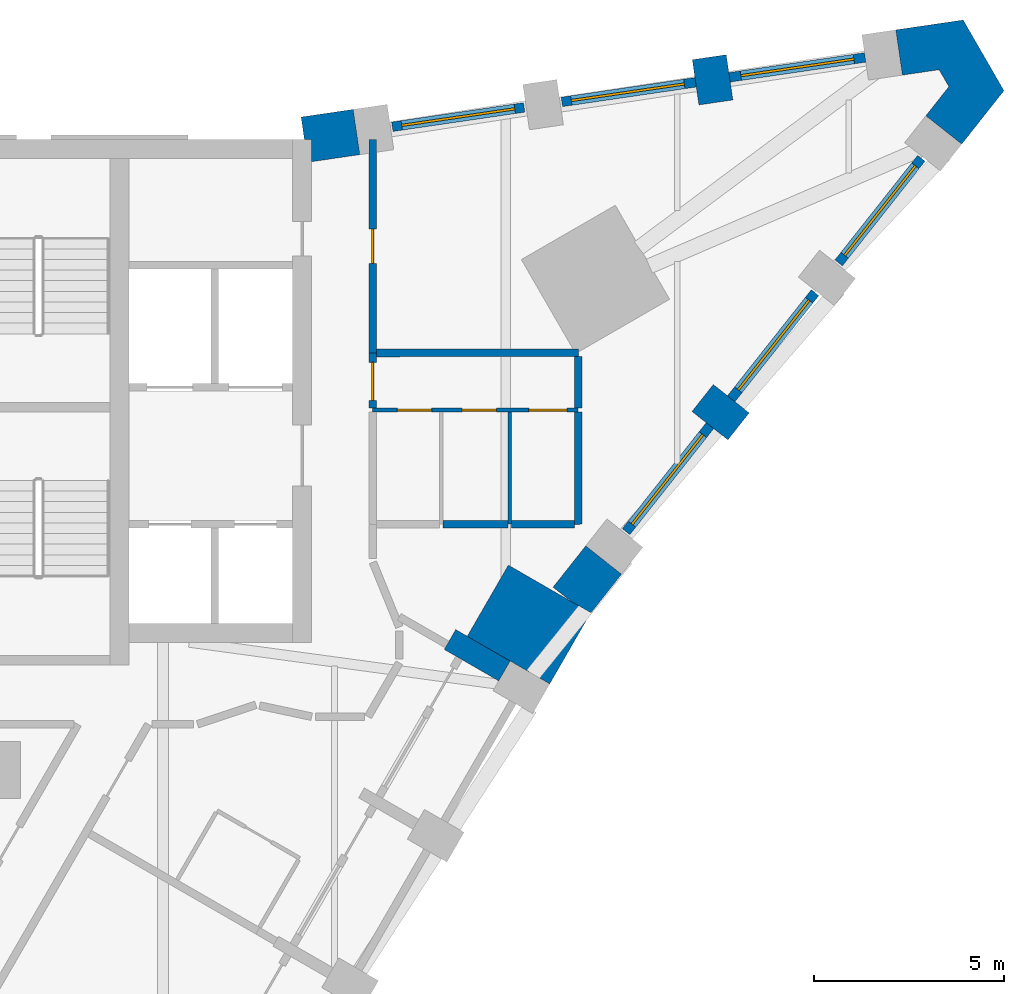
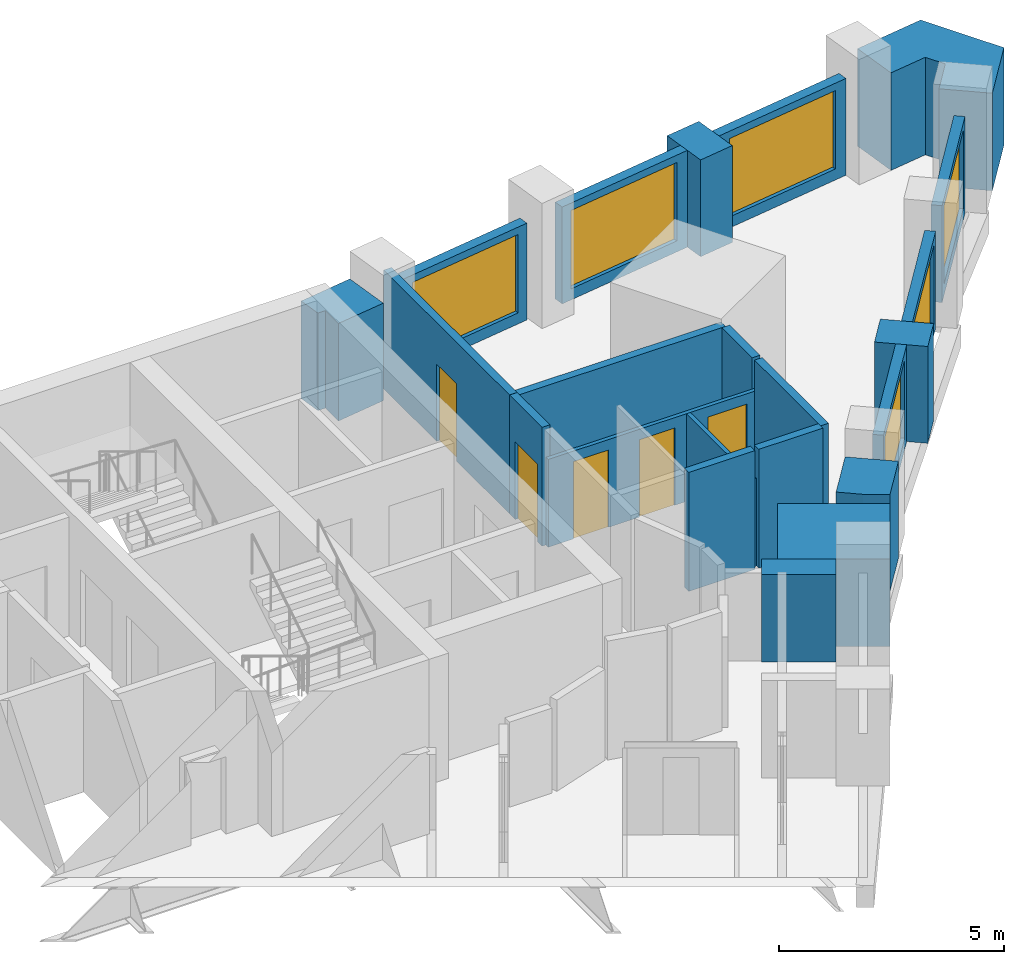
# One storey, part 9 of 11: 22 walls, 6 windows, 5 doors, 11 openings.
"""IFC4 building model written with IfcOpenShell, lengths in metres."""

from ifc_helpers import new_model, si_unit, direction, frame, frame_2d, origin, place, context, subcontext, project, spatial, polyline, rectangle, outline, extrude, material, layer, layer_set, type_object, element, fill, save


model = new_model("IFC4")

# Units and contexts
model_context = context("Model", 3, precision=1e-05, world=origin(), true_north=direction((0.0, 1.0)))
body_context = subcontext(model_context, "Body", "Model", "MODEL_VIEW")
ifc_project = project(units=[si_unit("LENGTHUNIT", "METRE"), si_unit("AREAUNIT", "SQUARE_METRE"), si_unit("VOLUMEUNIT", "CUBIC_METRE"), si_unit("PLANEANGLEUNIT", "RADIAN"), si_unit("MASSUNIT", "GRAM", prefix="KILO")], contexts=[model_context])

# Site, building, storey
site_placement = place(None, origin())
site = spatial("IfcSite", under=ifc_project, at=site_placement, CompositionType="ELEMENT")
building_placement = place(site_placement, origin())
building = spatial("IfcBuilding", under=site, at=building_placement, Name="Calabash Gate Tower", CompositionType="ELEMENT")
storey_placement = place(building_placement, frame((0.0, 0.0, 122.39990234375)))
storey = spatial("IfcBuildingStorey", under=building, at=storey_placement, Name="L28", CompositionType="ELEMENT", Elevation=122.39990234375)

# Walls
ifc_material_1 = material(Name="Terracotta brick masonry, exposed face", Category="masonry")
ifc_layer_1 = layer(ifc_material_1, 2.5)
ifc_layer_set_1 = layer_set([ifc_layer_1], Name="Brick corner mass wall 2500")
wall_type_1 = type_object("IfcWallType", Name="Brick corner mass wall 2500", PredefinedType="SOLIDWALL", material=ifc_layer_set_1)
wall_1_placement = place(storey_placement, origin())
element("IfcWall", 1, at=wall_1_placement, inside=storey, type_object=wall_type_1, Name="Brick corner pier S08 2", PredefinedType="SOLIDWALL", context=body_context, shape_type="SweptSolid", body=[
    extrude(outline(polyline([(22.564697265625, 7.878173828125), (21.486083984375, 6.01025390625), (22.612060546875, 5.360107421875), (22.6123046875, 5.360595703125), (23.651611328125, 4.7607421875), (24.729736328125, 6.628173828125), (22.564697265625, 7.878173828125)])), origin(), (0.0, 0.0, 1.0), 2.38427734375),
])
ifc_material_2 = material(Name="Terracotta brick masonry, exposed face", Category="masonry")
ifc_layer_2 = layer(ifc_material_2, 1.199951171875)
ifc_layer_set_2 = layer_set([ifc_layer_2], Name="Brick end wall 1200")
wall_type_2 = type_object("IfcWallType", Name="Brick end wall 1200", PredefinedType="SOLIDWALL", material=ifc_layer_set_2)
wall_2_placement = place(storey_placement, frame((28.6083984375, 11.5224609375, 0.0), z_axis=(0.0, 0.0, 1.0), x_axis=(-0.784408686564, 0.620244316736, 0.0)))
element("IfcWall", 2, at=wall_2_placement, inside=storey, type_object=wall_type_2, Name="Brick pier S08 wedge3.1", PredefinedType="SOLIDWALL", context=body_context, shape_type="SweptSolid", body=[
    extrude(rectangle(XDim=1.2001953125, YDim=0.89990234375, at=frame_2d((0.60009765625, 0.0))), origin(), (0.0, 0.0, 1.0), 2.630126953125),
])
wall_3_placement = place(storey_placement, frame((27.84033203125, 21.217041015625, 0.0), z_axis=(0.0, 0.0, 1.0), x_axis=(0.145066385332, -0.989421924078, 0.0)))
element("IfcWall", 3, at=wall_3_placement, inside=storey, type_object=wall_type_2, Name="Brick pier S08 wedge5.1", PredefinedType="SOLIDWALL", context=body_context, shape_type="SweptSolid", body=[
    extrude(rectangle(XDim=1.199951171875, YDim=0.89990234375, at=frame_2d((0.60009765625, 0.0))), origin(), (0.0, 0.0, 1.0), 2.630126953125),
])
wall_4_placement = place(storey_placement, origin())
element("IfcWall", 4, at=wall_4_placement, inside=storey, type_object=wall_type_2, Name="Brick end wall S08 1", PredefinedType="SOLIDWALL", context=body_context, shape_type="SweptSolid", body=[
    extrude(outline(polyline([(24.5966796875, 8.38427734375), (23.739501953125, 7.30029296875), (24.2099609375, 6.92822265625), (24.729736328125, 6.628173828125), (24.707763671875, 6.59033203125), (25.537841796875, 7.639892578125), (24.5966796875, 8.38427734375)])), origin(), (0.0, 0.0, 1.0), 2.630126953125),
])
wall_5_placement = place(storey_placement, origin())
element("IfcWall", 5, at=wall_5_placement, inside=storey, type_object=wall_type_2, Name="Brick end wall S08 2", PredefinedType="SOLIDWALL", context=body_context, shape_type="SweptSolid", body=[
    extrude(outline(polyline([(34.13330078125, 20.443359375), (33.52880859375, 19.678955078125), (34.47021484375, 18.9345703125), (35.579833984375, 20.337890625), (34.50830078125, 22.1943359375), (32.73828125, 21.934814453125), (32.912109375, 20.74755859375), (33.876220703125, 20.888916015625), (34.13330078125, 20.443359375)])), origin(), (0.0, 0.0, 1.0), 2.650146484375),
])
wall_6_placement = place(storey_placement, origin())
element("IfcWall", 6, at=wall_6_placement, inside=storey, type_object=wall_type_2, Name="Brick end wall S08 3", PredefinedType="SOLIDWALL", context=body_context, shape_type="SweptSolid", body=[
    extrude(outline(polyline([(17.123046875, 19.646240234375), (17.2099609375, 19.052490234375), (17.39990234375, 19.052490234375), (17.39990234375, 18.473876953125), (18.664306640625, 18.6591796875), (18.490234375, 19.8466796875), (17.123046875, 19.646240234375)])), origin(), (0.0, 0.0, 1.0), 2.650146484375),
])
ifc_material_3 = material(Name="Terracotta brick masonry, exposed face", Category="masonry")
ifc_layer_3 = layer(ifc_material_3, 0.300048828125)
ifc_layer_set_3 = layer_set([ifc_layer_3], Name="Brick loggia cheek wall 300")
wall_type_3 = type_object("IfcWallType", Name="Brick loggia cheek wall 300", PredefinedType="SOLIDWALL", material=ifc_layer_set_3)
wall_7_placement = place(storey_placement, frame((21.032958984375, 5.92529296875, 0.0), z_axis=(0.0, 0.0, 1.0), x_axis=(0.866040211805, -0.499974350878, 0.0)))
element("IfcWall", 7, at=wall_7_placement, inside=storey, type_object=wall_type_3, Name="Loggia cheek S08 SE2.8", PredefinedType="SOLIDWALL", context=body_context, shape_type="SweptSolid", body=[
    extrude(rectangle(XDim=1.64990234375, YDim=0.60009765625, at=frame_2d((0.824951171875, 0.0))), origin(), (0.0, 0.0, 1.0), 2.38427734375),
])
ifc_material_4 = material(Name="Gypsum board on steel studs, mineral wool", Category="steel")
ifc_layer_4 = layer(ifc_material_4, 0.10009765625)
ifc_layer_set_4 = layer_set([ifc_layer_4], Name="Partition 100 gypsum board")
wall_type_4 = type_object("IfcWallType", Name="Partition 100 gypsum board", PredefinedType="PARTITIONING", material=ifc_layer_set_4)
wall_8_placement = place(storey_placement, frame((22.60009765625, 8.952880859375, 0.0), z_axis=(0.0, 0.0, 1.0), x_axis=(0.000662525735, 0.99999978053, 0.0)))
element("IfcWall", 8, at=wall_8_placement, inside=storey, type_object=wall_type_4, Name="Partition", PredefinedType="PARTITIONING", context=body_context, shape_type="SweptSolid", body=[
    extrude(rectangle(XDim=2.947998046875, YDim=0.10009765625, at=frame_2d((1.47412109375, 0.0))), origin(), (0.0, 0.0, 1.0), 2.38427734375),
])

# Wall, openings, doors
wall_9_placement = place(storey_placement, frame((19.000244140625, 11.95068359375, 0.0), z_axis=(0.0, 0.0, 1.0), x_axis=(1.0, 0.0, 0.0)))
wall_9 = element("IfcWall", 9, at=wall_9_placement, inside=storey, type_object=wall_type_4, Name="Partition", PredefinedType="PARTITIONING", context=body_context, shape_type="SweptSolid", body=[
    extrude(rectangle(XDim=5.399658203125, YDim=0.10009765625, at=frame_2d((2.69970703125, 0.0))), origin(), (0.0, 0.0, 1.0), 2.38427734375),
])
opening_1_placement = place(wall_9_placement, frame((0.64990234375, 0.0, 0.0)))
opening_1 = element("IfcOpeningElement", 10, at=opening_1_placement, cuts=wall_9, Name="Opening 28-30-017", PredefinedType="OPENING", context=body_context, shape_type="SweptSolid", body=[
    extrude(rectangle(XDim=0.89990234375, YDim=2.10009765625, at=frame_2d((0.449951171875, 1.050048828125))), frame((0.0, 0.06005859375, 0.0), z_axis=(0.0, -1.0, 0.0), x_axis=(1.0, 0.0, 0.0)), (0.0, 0.0, 1.0), 0.1201171875),
])
opening_2_placement = place(wall_9_placement, frame((2.349853515625, 0.0, 0.0)))
opening_2 = element("IfcOpeningElement", 11, at=opening_2_placement, cuts=wall_9, Name="Opening 28-30-018", PredefinedType="OPENING", context=body_context, shape_type="SweptSolid", body=[
    extrude(rectangle(XDim=0.89990234375, YDim=2.10009765625, at=frame_2d((0.449951171875, 1.050048828125))), frame((0.0, 0.06005859375, 0.0), z_axis=(0.0, -1.0, 0.0), x_axis=(1.0, 0.0, 0.0)), (0.0, 0.0, 1.0), 0.1201171875),
])
opening_3_placement = place(wall_9_placement, frame((4.099853515625, 0.0, 0.0)))
opening_3 = element("IfcOpeningElement", 12, at=opening_3_placement, cuts=wall_9, Name="Opening 28-30-019", PredefinedType="OPENING", context=body_context, shape_type="SweptSolid", body=[
    extrude(rectangle(XDim=1.0, YDim=2.10009765625, at=frame_2d((0.5, 1.050048828125))), frame((0.0, 0.06005859375, 0.0), z_axis=(0.0, -1.0, 0.0), x_axis=(1.0, 0.0, 0.0)), (0.0, 0.0, 1.0), 0.1201171875),
])
ifc_material_5 = material(Name="Painted timber door", Category="wood")
door_type_1 = type_object("IfcDoorType", Name="WD1 WC door 900x2100", OperationType="NOTDEFINED", PredefinedType="DOOR", material=ifc_material_5)
door_1_placement = place(opening_1_placement, origin())
door_1 = element("IfcDoor", 13, at=door_1_placement, inside=storey, type_object=door_type_1, Name="WC door", OperationType="SINGLE_SWING_RIGHT", OverallHeight=2.10009765625, OverallWidth=0.89990234375, PredefinedType="DOOR", context=body_context, shape_type="SweptSolid", body=[
    extrude(rectangle(XDim=0.89990234375, YDim=2.10009765625, at=frame_2d((0.449951171875, 1.050048828125))), frame((0.0, 0.02490234375, 0.0), z_axis=(0.0, -1.0, 0.0), x_axis=(1.0, 0.0, 0.0)), (0.0, 0.0, 1.0), 0.050048828125),
])
fill(opening_1, door_1)
door_2_placement = place(opening_2_placement, origin())
door_2 = element("IfcDoor", 14, at=door_2_placement, inside=storey, type_object=door_type_1, Name="WC door", OperationType="SINGLE_SWING_LEFT", OverallHeight=2.10009765625, OverallWidth=0.89990234375, PredefinedType="DOOR", context=body_context, shape_type="SweptSolid", body=[
    extrude(rectangle(XDim=0.89990234375, YDim=2.10009765625, at=frame_2d((0.449951171875, 1.050048828125))), frame((0.0, 0.02490234375, 0.0), z_axis=(0.0, -1.0, 0.0), x_axis=(1.0, 0.0, 0.0)), (0.0, 0.0, 1.0), 0.050048828125),
])
fill(opening_2, door_2)
ifc_material_6 = material(Name="Painted timber door", Category="wood")
door_type_2 = type_object("IfcDoorType", Name="WD2 Accessible WC door 1000x2100", OperationType="NOTDEFINED", PredefinedType="DOOR", material=ifc_material_6)
door_3_placement = place(opening_3_placement, origin())
door_3 = element("IfcDoor", 15, at=door_3_placement, inside=storey, type_object=door_type_2, Name="Accessible WC door", OperationType="SINGLE_SWING_LEFT", OverallHeight=2.10009765625, OverallWidth=1.0, PredefinedType="DOOR", context=body_context, shape_type="SweptSolid", body=[
    extrude(rectangle(XDim=1.0, YDim=2.10009765625, at=frame_2d((0.5, 1.050048828125))), frame((0.0, 0.02490234375, 0.0), z_axis=(0.0, -1.0, 0.0), x_axis=(1.0, 0.0, 0.0)), (0.0, 0.0, 1.0), 0.050048828125),
])
fill(opening_3, door_3)

# Walls
ifc_material_7 = material(Name="Gypsum board on steel studs, mineral wool", Category="steel")
ifc_layer_5 = layer(ifc_material_7, 0.199951171875)
ifc_layer_set_5 = layer_set([ifc_layer_5], Name="Partition 200 gypsum board EI 60")
wall_type_5 = type_object("IfcWallType", Name="Partition 200 gypsum board EI 60", PredefinedType="PARTITIONING", material=ifc_layer_set_5)
wall_10_placement = place(storey_placement, frame((20.85009765625, 8.952880859375, 0.0), z_axis=(0.0, 0.0, 1.0), x_axis=(0.999999628739, 0.000861697224, 0.0)))
element("IfcWall", 16, at=wall_10_placement, inside=storey, type_object=wall_type_5, Name="Partition", PredefinedType="PARTITIONING", context=body_context, shape_type="SweptSolid", body=[
    extrude(rectangle(XDim=1.699951171875, YDim=0.199951171875, at=frame_2d((0.85009765625, 0.0))), origin(), (0.0, 0.0, 1.0), 3.22998046875),
])
wall_11_placement = place(storey_placement, frame((22.650146484375, 8.952880859375, 0.0), z_axis=(0.0, 0.0, 1.0), x_axis=(1.0, 0.0, 0.0)))
element("IfcWall", 17, at=wall_11_placement, inside=storey, type_object=wall_type_5, Name="Partition", PredefinedType="PARTITIONING", context=body_context, shape_type="SweptSolid", body=[
    extrude(rectangle(XDim=1.64990234375, YDim=0.199951171875, at=frame_2d((0.824951171875, 0.0))), origin(), (0.0, 0.0, 1.0), 3.22998046875),
])
wall_12_placement = place(storey_placement, frame((24.398193359375, 11.902587890625, 0.0), z_axis=(0.0, 0.0, 1.0), x_axis=(0.000579374179, -0.999999832163, 0.0)))
element("IfcWall", 18, at=wall_12_placement, inside=storey, type_object=wall_type_5, Name="Partition", PredefinedType="PARTITIONING", context=body_context, shape_type="SweptSolid", body=[
    extrude(rectangle(XDim=2.94970703125, YDim=0.199951171875, at=frame_2d((1.474853515625, 0.0))), origin(), (0.0, 0.0, 1.0), 3.22998046875),
])
wall_13_placement = place(storey_placement, frame((24.3984375, 12.002685546875, 0.0), z_axis=(0.0, 0.0, 1.0), x_axis=(0.00108499032, 0.999999411398, 0.0)))
element("IfcWall", 19, at=wall_13_placement, inside=storey, type_object=wall_type_5, Name="Partition", PredefinedType="PARTITIONING", context=body_context, shape_type="SweptSolid", body=[
    extrude(rectangle(XDim=1.35009765625, YDim=0.199951171875, at=frame_2d((0.675048828125, 0.0))), origin(), (0.0, 0.0, 1.0), 3.22998046875),
])

# Wall, opening, door
wall_14_placement = place(storey_placement, frame((19.00048828125, 19.052490234375, 0.0), z_axis=(0.0, 0.0, 1.0), x_axis=(0.000261608886, -0.99999996578, 0.0)))
wall_14 = element("IfcWall", 20, at=wall_14_placement, inside=storey, type_object=wall_type_5, Name="Partition", PredefinedType="PARTITIONING", context=body_context, shape_type="SweptSolid", body=[
    extrude(rectangle(XDim=5.599365234375, YDim=0.199951171875, at=frame_2d((2.7998046875, 0.0))), origin(), (0.0, 0.0, 1.0), 3.22998046875),
])
opening_4_placement = place(wall_14_placement, frame((2.349853515625, 0.0, 0.0)))
opening_4 = element("IfcOpeningElement", 21, at=opening_4_placement, cuts=wall_14, Name="Opening 28-30-022", PredefinedType="OPENING", context=body_context, shape_type="SweptSolid", body=[
    extrude(rectangle(XDim=0.89990234375, YDim=2.10009765625, at=frame_2d((0.449951171875, 1.050048828125))), frame((0.0, 0.10986328125, 0.0), z_axis=(0.0, -1.0, 0.0), x_axis=(1.0, 0.0, 0.0)), (0.0, 0.0, 1.0), 0.219970703125),
])
ifc_material_8 = material(Name="Steel fire door set with fire-resisting glazing", Category="steel")
door_type_3 = type_object("IfcDoorType", Name="SD3 Store door 900x2100", OperationType="NOTDEFINED", PredefinedType="DOOR", material=ifc_material_8)
door_4_placement = place(opening_4_placement, origin())
door_4 = element("IfcDoor", 22, at=door_4_placement, inside=storey, type_object=door_type_3, Name="Store door", OperationType="SINGLE_SWING_RIGHT", OverallHeight=2.10009765625, OverallWidth=0.89990234375, PredefinedType="DOOR", context=body_context, shape_type="SweptSolid", body=[
    extrude(rectangle(XDim=0.89990234375, YDim=2.10009765625, at=frame_2d((0.449951171875, 1.050048828125))), frame((0.0, 0.02490234375, 0.0), z_axis=(0.0, -1.0, 0.0), x_axis=(1.0, 0.0, 0.0)), (0.0, 0.0, 1.0), 0.050048828125),
])
fill(opening_4, door_4)

wall_15_placement = place(storey_placement, frame((19.000244140625, 12.002685546875, 0.0), z_axis=(0.0, 0.0, 1.0), x_axis=(0.001179840743, 0.999999303988, 0.0)))
wall_15 = element("IfcWall", 23, at=wall_15_placement, inside=storey, type_object=wall_type_5, Name="Partition", PredefinedType="PARTITIONING", context=body_context, shape_type="SweptSolid", body=[
    extrude(rectangle(XDim=1.448486328125, YDim=0.199951171875, at=frame_2d((0.72412109375, 0.0))), origin(), (0.0, 0.0, 1.0), 3.22998046875),
])
opening_5_placement = place(wall_15_placement, frame((0.199951171875, 0.0, 0.0)))
opening_5 = element("IfcOpeningElement", 24, at=opening_5_placement, cuts=wall_15, Name="Opening 28-30-016", PredefinedType="OPENING", context=body_context, shape_type="SweptSolid", body=[
    extrude(rectangle(XDim=1.0, YDim=2.10009765625, at=frame_2d((0.5, 1.050048828125))), frame((0.0, 0.10986328125, 0.0), z_axis=(0.0, -1.0, 0.0), x_axis=(1.0, 0.0, 0.0)), (0.0, 0.0, 1.0), 0.219970703125),
])
ifc_material_9 = material(Name="Steel fire door set with fire-resisting glazing", Category="steel")
door_type_4 = type_object("IfcDoorType", Name="WD3 WC lobby door 1000x2100", OperationType="NOTDEFINED", PredefinedType="DOOR", material=ifc_material_9)
door_5_placement = place(opening_5_placement, origin())
door_5 = element("IfcDoor", 25, at=door_5_placement, inside=storey, type_object=door_type_4, Name="WC lobby door", OperationType="SINGLE_SWING_RIGHT", OverallHeight=2.10009765625, OverallWidth=1.0, PredefinedType="DOOR", context=body_context, shape_type="SweptSolid", body=[
    extrude(rectangle(XDim=1.0, YDim=2.10009765625, at=frame_2d((0.5, 1.050048828125))), frame((0.0, 0.02490234375, 0.0), z_axis=(0.0, -1.0, 0.0), x_axis=(1.0, 0.0, 0.0)), (0.0, 0.0, 1.0), 0.050048828125),
])
fill(opening_5, door_5)

# Wall
wall_16_placement = place(storey_placement, frame((19.10205078125, 13.451171875, 0.0), z_axis=(0.0, 0.0, 1.0), x_axis=(0.999999947971, 0.000322580628, 0.0)))
element("IfcWall", 26, at=wall_16_placement, inside=storey, type_object=wall_type_5, Name="Partition", PredefinedType="PARTITIONING", context=body_context, shape_type="SweptSolid", body=[
    extrude(rectangle(XDim=5.2978515625, YDim=0.199951171875, at=frame_2d((2.64892578125, 0.0))), origin(), (0.0, 0.0, 1.0), 3.22998046875),
])

# Wall, opening, window
ifc_material_10 = material(Name="Aluminium framed window wall with insulated spandrel", Category="aluminium")
ifc_layer_6 = layer(ifc_material_10, 0.25)
ifc_layer_set_6 = layer_set([ifc_layer_6], Name="Prow window wall 250")
wall_type_6 = type_object("IfcWallType", Name="Prow window wall 250", PredefinedType="ELEMENTEDWALL", material=ifc_layer_set_6)
wall_17_placement = place(storey_placement, frame((25.656494140625, 8.757080078125, 0.0), z_axis=(0.0, 0.0, 1.0), x_axis=(0.620301477136, 0.784363485549, 0.0)))
wall_17 = element("IfcWall", 27, at=wall_17_placement, inside=storey, type_object=wall_type_6, Name="Prow window wall S08 wedge3.1", PredefinedType="ELEMENTEDWALL", context=body_context, shape_type="SweptSolid", body=[
    extrude(rectangle(XDim=3.552001953125, YDim=0.25, at=frame_2d((1.77587890625, 0.0))), origin(), (0.0, 0.0, 1.0), 2.630126953125),
])
opening_6_placement = place(wall_17_placement, frame((0.25, 0.0, 0.300048828125)))
opening_6 = element("IfcOpeningElement", 28, at=opening_6_placement, cuts=wall_17, Name="Opening WP1L-2130", PredefinedType="OPENING", context=body_context, shape_type="SweptSolid", body=[
    extrude(rectangle(XDim=3.0, YDim=2.1298828125, at=frame_2d((1.5, 1.06494140625))), frame((0.0, 0.135009765625, 0.0), z_axis=(0.0, -1.0, 0.0), x_axis=(1.0, 0.0, 0.0)), (0.0, 0.0, 1.0), 0.27001953125),
])
ifc_material_11 = material(Name="Anodised aluminium frame, bronze finish, impact-rated laminated clear glazing", Category="aluminium")
window_type = type_object("IfcWindowType", Name="Window WP1L 3000x2130", PartitioningType="DOUBLE_PANEL_VERTICAL", PredefinedType="WINDOW", material=ifc_material_11)
window_1_placement = place(opening_6_placement, origin())
window_1 = element("IfcWindow", 29, at=window_1_placement, inside=storey, type_object=window_type, Name="Prow window WP1L S08 wedge3.1", OverallHeight=2.1298828125, OverallWidth=3.0, PartitioningType="SINGLE_PANEL", PredefinedType="WINDOW", context=body_context, shape_type="SweptSolid", body=[
    extrude(rectangle(XDim=3.0, YDim=2.1298828125, at=frame_2d((1.5, 1.06494140625))), frame((0.0, 0.030029296875, 0.0), z_axis=(0.0, -1.0, 0.0), x_axis=(1.0, 0.0, 0.0)), (0.0, 0.0, 1.0), 0.06005859375),
])
fill(opening_6, window_1)

wall_18_placement = place(storey_placement, frame((28.41552734375, 12.24609375, 0.0), z_axis=(0.0, 0.0, 1.0), x_axis=(0.620334919108, 0.784337037335, 0.0)))
wall_18 = element("IfcWall", 30, at=wall_18_placement, inside=storey, type_object=wall_type_6, Name="Prow window wall S08 wedge3.2", PredefinedType="ELEMENTEDWALL", context=body_context, shape_type="SweptSolid", body=[
    extrude(rectangle(XDim=3.552001953125, YDim=0.25, at=frame_2d((1.77587890625, 0.0))), origin(), (0.0, 0.0, 1.0), 2.630126953125),
])
opening_7_placement = place(wall_18_placement, frame((0.302001953125, 0.0, 0.300048828125)))
opening_7 = element("IfcOpeningElement", 31, at=opening_7_placement, cuts=wall_18, Name="Opening WP1L-2130", PredefinedType="OPENING", context=body_context, shape_type="SweptSolid", body=[
    extrude(rectangle(XDim=3.0, YDim=2.1298828125, at=frame_2d((1.5, 1.06494140625))), frame((0.0, 0.135009765625, 0.0), z_axis=(0.0, -1.0, 0.0), x_axis=(1.0, 0.0, 0.0)), (0.0, 0.0, 1.0), 0.27001953125),
])
window_2_placement = place(opening_7_placement, origin())
window_2 = element("IfcWindow", 32, at=window_2_placement, inside=storey, type_object=window_type, Name="Prow window WP1L S08 wedge3.2", OverallHeight=2.1298828125, OverallWidth=3.0, PartitioningType="SINGLE_PANEL", PredefinedType="WINDOW", context=body_context, shape_type="SweptSolid", body=[
    extrude(rectangle(XDim=3.0, YDim=2.1298828125, at=frame_2d((1.5, 1.06494140625))), frame((0.0, 0.030029296875, 0.0), z_axis=(0.0, -1.0, 0.0), x_axis=(1.0, 0.0, 0.0)), (0.0, 0.0, 1.0), 0.06005859375),
])
fill(opening_7, window_2)

wall_19_placement = place(storey_placement, frame((31.2392578125, 15.81640625, 0.0), z_axis=(0.0, 0.0, 1.0), x_axis=(0.620261535806, 0.784395070866, 0.0)))
wall_19 = element("IfcWall", 33, at=wall_19_placement, inside=storey, type_object=wall_type_6, Name="Prow window wall S08 wedge3.3", PredefinedType="ELEMENTEDWALL", context=body_context, shape_type="SweptSolid", body=[
    extrude(rectangle(XDim=3.5, YDim=0.25, at=frame_2d((1.75, 0.0))), origin(), (0.0, 0.0, 1.0), 2.630126953125),
])
opening_8_placement = place(wall_19_placement, frame((0.25, 0.0, 0.300048828125)))
opening_8 = element("IfcOpeningElement", 34, at=opening_8_placement, cuts=wall_19, Name="Opening WP1L-2130", PredefinedType="OPENING", context=body_context, shape_type="SweptSolid", body=[
    extrude(rectangle(XDim=3.0, YDim=2.1298828125, at=frame_2d((1.5, 1.06494140625))), frame((0.0, 0.135009765625, 0.0), z_axis=(0.0, -1.0, 0.0), x_axis=(1.0, 0.0, 0.0)), (0.0, 0.0, 1.0), 0.27001953125),
])
window_3_placement = place(opening_8_placement, origin())
window_3 = element("IfcWindow", 35, at=window_3_placement, inside=storey, type_object=window_type, Name="Prow window WP1L S08 wedge3.3", OverallHeight=2.1298828125, OverallWidth=3.0, PartitioningType="SINGLE_PANEL", PredefinedType="WINDOW", context=body_context, shape_type="SweptSolid", body=[
    extrude(rectangle(XDim=3.0, YDim=2.1298828125, at=frame_2d((1.5, 1.06494140625))), frame((0.0, 0.030029296875, 0.0), z_axis=(0.0, -1.0, 0.0), x_axis=(1.0, 0.0, 0.0)), (0.0, 0.0, 1.0), 0.06005859375),
])
fill(opening_8, window_3)

wall_20_placement = place(storey_placement, frame((31.9345703125, 21.210693359375, 0.0), z_axis=(0.0, 0.0, 1.0), x_axis=(-0.98942335115, -0.145056651687, 0.0)))
wall_20 = element("IfcWall", 36, at=wall_20_placement, inside=storey, type_object=wall_type_6, Name="Prow window wall S08 wedge5.1", PredefinedType="ELEMENTEDWALL", context=body_context, shape_type="SweptSolid", body=[
    extrude(rectangle(XDim=3.60009765625, YDim=0.25, at=frame_2d((1.800048828125, 0.0))), origin(), (0.0, 0.0, 1.0), 2.630126953125),
])
opening_9_placement = place(wall_20_placement, frame((0.300048828125, 0.0, 0.300048828125)))
opening_9 = element("IfcOpeningElement", 37, at=opening_9_placement, cuts=wall_20, Name="Opening WP1L-2130", PredefinedType="OPENING", context=body_context, shape_type="SweptSolid", body=[
    extrude(rectangle(XDim=3.0, YDim=2.1298828125, at=frame_2d((1.5, 1.06494140625))), frame((0.0, 0.135009765625, 0.0), z_axis=(0.0, -1.0, 0.0), x_axis=(1.0, 0.0, 0.0)), (0.0, 0.0, 1.0), 0.27001953125),
])
window_4_placement = place(opening_9_placement, origin())
window_4 = element("IfcWindow", 38, at=window_4_placement, inside=storey, type_object=window_type, Name="Prow window WP1L S08 wedge5.1", OverallHeight=2.1298828125, OverallWidth=3.0, PartitioningType="SINGLE_PANEL", PredefinedType="WINDOW", context=body_context, shape_type="SweptSolid", body=[
    extrude(rectangle(XDim=3.0, YDim=2.1298828125, at=frame_2d((1.5, 1.06494140625))), frame((0.0, 0.030029296875, 0.0), z_axis=(0.0, -1.0, 0.0), x_axis=(1.0, 0.0, 0.0)), (0.0, 0.0, 1.0), 0.06005859375),
])
fill(opening_9, window_4)

wall_21_placement = place(storey_placement, frame((27.484130859375, 20.558349609375, 0.0), z_axis=(0.0, 0.0, 1.0), x_axis=(-0.989427410985, -0.145028957081, 0.0)))
wall_21 = element("IfcWall", 39, at=wall_21_placement, inside=storey, type_object=wall_type_6, Name="Prow window wall S08 wedge5.2", PredefinedType="ELEMENTEDWALL", context=body_context, shape_type="SweptSolid", body=[
    extrude(rectangle(XDim=3.552001953125, YDim=0.25, at=frame_2d((1.77587890625, 0.0))), origin(), (0.0, 0.0, 1.0), 2.630126953125),
])
opening_10_placement = place(wall_21_placement, frame((0.302001953125, 0.0, 0.300048828125)))
opening_10 = element("IfcOpeningElement", 40, at=opening_10_placement, cuts=wall_21, Name="Opening WP1L-2130", PredefinedType="OPENING", context=body_context, shape_type="SweptSolid", body=[
    extrude(rectangle(XDim=3.0, YDim=2.1298828125, at=frame_2d((1.5, 1.06494140625))), frame((0.0, 0.135009765625, 0.0), z_axis=(0.0, -1.0, 0.0), x_axis=(1.0, 0.0, 0.0)), (0.0, 0.0, 1.0), 0.27001953125),
])
window_5_placement = place(opening_10_placement, origin())
window_5 = element("IfcWindow", 41, at=window_5_placement, inside=storey, type_object=window_type, Name="Prow window WP1L S08 wedge5.2", OverallHeight=2.1298828125, OverallWidth=3.0, PartitioningType="SINGLE_PANEL", PredefinedType="WINDOW", context=body_context, shape_type="SweptSolid", body=[
    extrude(rectangle(XDim=3.0, YDim=2.1298828125, at=frame_2d((1.5, 1.06494140625))), frame((0.0, 0.030029296875, 0.0), z_axis=(0.0, -1.0, 0.0), x_axis=(1.0, 0.0, 0.0)), (0.0, 0.0, 1.0), 0.06005859375),
])
fill(opening_10, window_5)

wall_22_placement = place(storey_placement, frame((22.980224609375, 19.898193359375, 0.0), z_axis=(0.0, 0.0, 1.0), x_axis=(-0.989428130675, -0.145024047072, 0.0)))
wall_22 = element("IfcWall", 42, at=wall_22_placement, inside=storey, type_object=wall_type_6, Name="Prow window wall S08 wedge5.3", PredefinedType="ELEMENTEDWALL", context=body_context, shape_type="SweptSolid", body=[
    extrude(rectangle(XDim=3.5, YDim=0.25, at=frame_2d((1.75, 0.0))), origin(), (0.0, 0.0, 1.0), 2.630126953125),
])
opening_11_placement = place(wall_22_placement, frame((0.25, 0.0, 0.300048828125)))
opening_11 = element("IfcOpeningElement", 43, at=opening_11_placement, cuts=wall_22, Name="Opening WP1L-2130", PredefinedType="OPENING", context=body_context, shape_type="SweptSolid", body=[
    extrude(rectangle(XDim=3.0, YDim=2.1298828125, at=frame_2d((1.5, 1.06494140625))), frame((0.0, 0.135009765625, 0.0), z_axis=(0.0, -1.0, 0.0), x_axis=(1.0, 0.0, 0.0)), (0.0, 0.0, 1.0), 0.27001953125),
])
window_6_placement = place(opening_11_placement, origin())
window_6 = element("IfcWindow", 44, at=window_6_placement, inside=storey, type_object=window_type, Name="Prow window WP1L S08 wedge5.3", OverallHeight=2.1298828125, OverallWidth=3.0, PartitioningType="SINGLE_PANEL", PredefinedType="WINDOW", context=body_context, shape_type="SweptSolid", body=[
    extrude(rectangle(XDim=3.0, YDim=2.1298828125, at=frame_2d((1.5, 1.06494140625))), frame((0.0, 0.030029296875, 0.0), z_axis=(0.0, -1.0, 0.0), x_axis=(1.0, 0.0, 0.0)), (0.0, 0.0, 1.0), 0.06005859375),
])
fill(opening_11, window_6)

save(model, "model.ifc")
